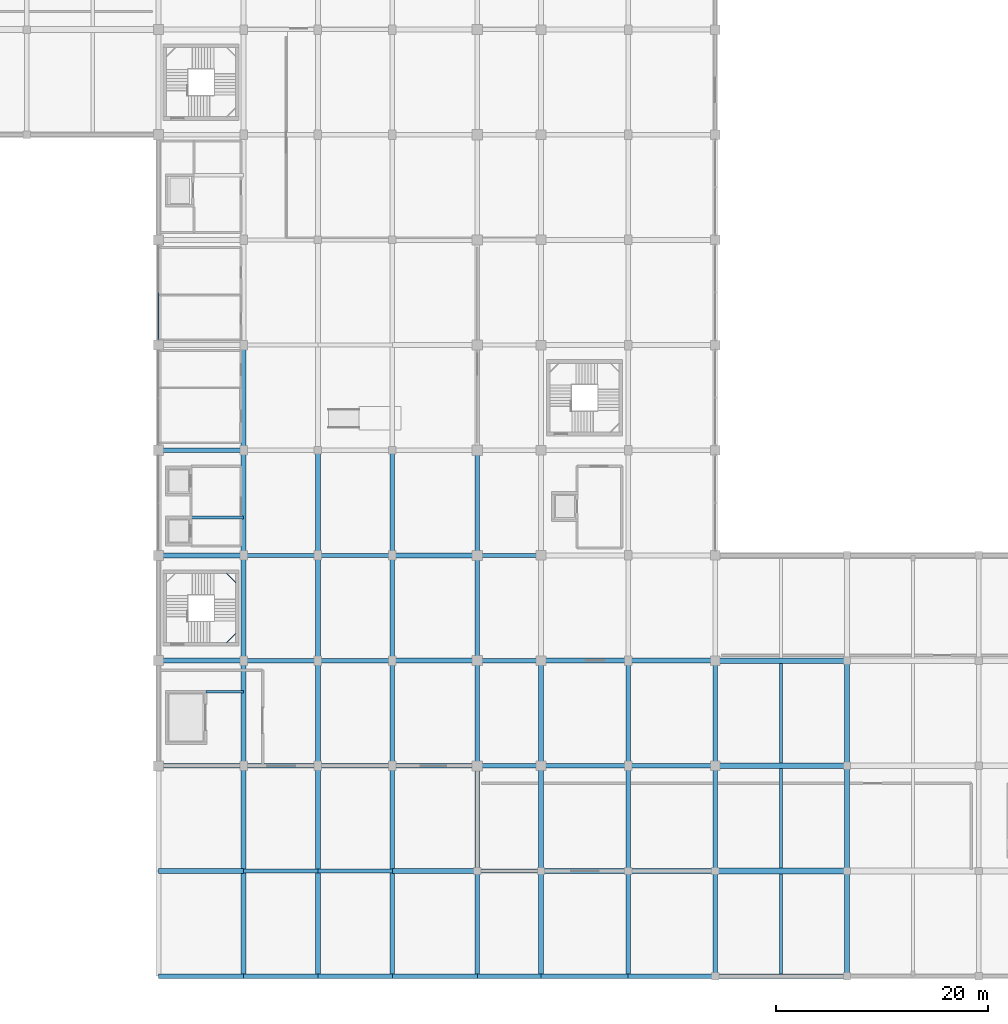
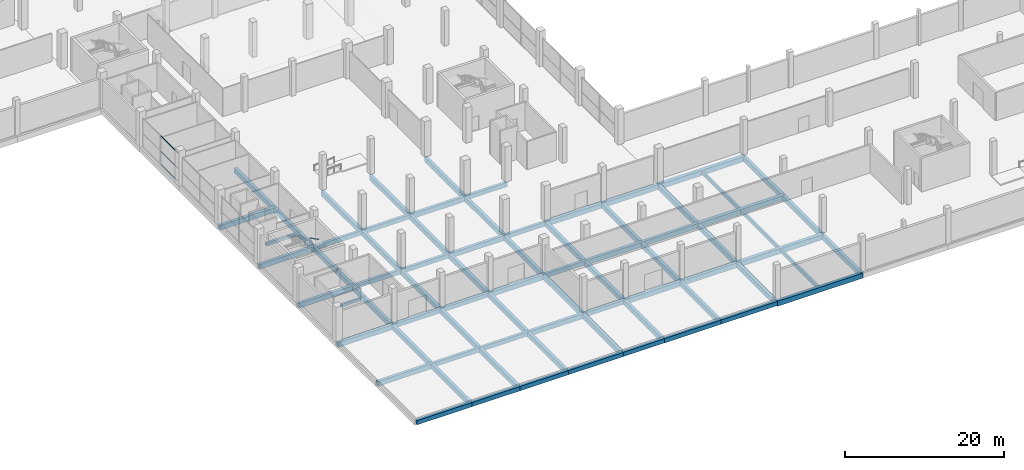
# One storey, part 6 of 50: 78 beams, 3 members, 1 element without a shape of its own.
"""IFC4 building model written with IfcOpenShell, lengths in metres."""

import ifcopenshell
import ifcopenshell.guid

model = None  # the IFC model being written
_history = None  # IfcOwnerHistory: only IFC2X3 demands one
_inside = {}  # id of a spatial element -> (the spatial element, [elements in it])
_under = {}  # id of a project, library or spatial element -> (it, [spatial elements below it])
_declared = {}  # id of a project -> (the project, [libraries it declares])
_typed = {}  # id of a type object -> (the type object, [elements of that type])
_made_of = {}  # id of a material, layer set ... -> (it, [elements and type objects made of it])


def new_model(schema):
    """Start an empty IFC model of exactly this schema.

    Asked for "IFC4X3", IfcOpenShell would pick the latest addendum, in which some entities
    have other attributes; the version numbers below select the first issue.
    IFC2X3 requires an IfcOwnerHistory on every rooted entity: one is made here for all.
    """
    global model, _history
    if schema == "IFC4X3":
        model = ifcopenshell.file(schema_version=(4, 3, 0, 0))
    else:
        model = ifcopenshell.file(schema=schema)
    _inside.clear()
    _under.clear()
    _declared.clear()
    _typed.clear()
    _made_of.clear()
    _history = None
    if model.schema == "IFC2X3":
        org = make("IfcOrganization", Name="unknown")
        user = make(
            "IfcPersonAndOrganization",
            ThePerson=make("IfcPerson", FamilyName="unknown"),
            TheOrganization=org,
        )
        app = make(
            "IfcApplication",
            ApplicationDeveloper=org,
            Version="unknown",
            ApplicationFullName="unknown",
            ApplicationIdentifier="unknown",
        )
        _history = make(
            "IfcOwnerHistory",
            OwningUser=user,
            OwningApplication=app,
            ChangeAction="ADDED",
            CreationDate=0,
        )
    return model


def make(cls, **values):
    """One entity of the class cls with the attributes given. An attribute that is None is left unset."""
    return model.create_entity(
        cls, **{name: value for name, value in values.items() if value is not None}
    )


def rooted(cls, **values):
    """An entity with a GlobalId (a new one), such as an element, a storey or a relation."""
    return make(cls, GlobalId=ifcopenshell.guid.new(), OwnerHistory=_history, **values)


def si_unit(unit_type, name, prefix=None):
    """IfcSIUnit, for example si_unit("LENGTHUNIT", "METRE", prefix="MILLI")."""
    return make("IfcSIUnit", UnitType=unit_type, Prefix=prefix, Name=name)


def assignment(units):
    """IfcUnitAssignment: the units of a project."""
    return None if units is None else make("IfcUnitAssignment", Units=units)


def point(xyz):
    """IfcCartesianPoint."""
    return None if xyz is None else make("IfcCartesianPoint", Coordinates=xyz)


def direction(xyz):
    """IfcDirection."""
    return None if xyz is None else make("IfcDirection", DirectionRatios=xyz)


def frame(location, z_axis=None, x_axis=None):
    """IfcAxis2Placement3D, a coordinate frame: its origin and axes. An axis left out is left unset."""
    return make(
        "IfcAxis2Placement3D",
        Location=point(location),
        Axis=direction(z_axis),
        RefDirection=direction(x_axis),
    )


def frame_2d(location, x_axis=None):
    """IfcAxis2Placement2D, a coordinate frame in the plane: its origin and x axis."""
    return make(
        "IfcAxis2Placement2D", Location=point(location), RefDirection=direction(x_axis)
    )


def origin():
    """The frame at (0, 0, 0) with its axes left unset."""
    return frame((0.0, 0.0, 0.0))


def origin_2d():
    """The frame at (0, 0) in the plane with its x axis left unset."""
    return frame_2d((0.0, 0.0))


def place(relative_to, where):
    """IfcLocalPlacement: puts the frame where relative to a parent placement (None: the world)."""
    return make(
        "IfcLocalPlacement", PlacementRelTo=relative_to, RelativePlacement=where
    )


def context(
    kind, dimensions, precision=None, world=None, true_north=None, identifier=None
):
    """IfcGeometricRepresentationContext, for example the 3D "Model" context."""
    return make(
        "IfcGeometricRepresentationContext",
        ContextIdentifier=identifier,
        ContextType=kind,
        CoordinateSpaceDimension=dimensions,
        Precision=precision,
        WorldCoordinateSystem=world,
        TrueNorth=true_north,
    )


def subcontext(parent, identifier, kind, view, scale=None):
    """IfcGeometricRepresentationSubContext, for example "Body" below "Model"."""
    return make(
        "IfcGeometricRepresentationSubContext",
        ContextIdentifier=identifier,
        ContextType=kind,
        ParentContext=parent,
        TargetScale=scale,
        TargetView=view,
    )


def project(units=None, contexts=None):
    """IfcProject with its units and contexts."""
    return rooted(
        "IfcProject",
        Name="project",
        RepresentationContexts=contexts,
        UnitsInContext=assignment(units),
    )


def spatial(cls, under=None, at=None, **own):
    """A site, building, storey or space (cls), placed at a placement, below another one or the project."""
    s = rooted(cls, ObjectPlacement=at, **own)
    if under is not None:
        _under.setdefault(under.id(), (under, []))[1].append(s)
    return s


def profile(cls, at=None, kind="AREA", **sizes):
    """A parametric profile (cls). Its sizes go by their IFC names, for example OverallWidth=200.0."""
    return make(cls, ProfileType=kind, Position=at, **sizes)


def rectangle(**sizes):
    """IfcRectangleProfileDef."""
    return profile("IfcRectangleProfileDef", **sizes)


def hollow_rectangle(**sizes):
    """IfcRectangleHollowProfileDef."""
    return profile("IfcRectangleHollowProfileDef", **sizes)


def extrude(swept, where, along, depth):
    """IfcExtrudedAreaSolid: the profile swept, set in the frame where, extruded along a direction by depth."""
    return make(
        "IfcExtrudedAreaSolid",
        SweptArea=swept,
        Position=where,
        ExtrudedDirection=direction(along),
        Depth=depth,
    )


def shape(context_of_items, identifier, shape_type, items):
    """IfcShapeRepresentation: the items that make up one representation, for example the "Body"."""
    return make(
        "IfcShapeRepresentation",
        ContextOfItems=context_of_items,
        RepresentationIdentifier=identifier,
        RepresentationType=shape_type,
        Items=items,
    )


def material(Name=None, Category=None):
    """IfcMaterial."""
    return make("IfcMaterial", Name=Name, Category=Category)


def layer(
    of_material, thickness, ventilated=None, Name=None, Category=None, Priority=None
):
    """IfcMaterialLayer: one layer of a wall or slab, of a material (None: an air gap)."""
    return make(
        "IfcMaterialLayer",
        Material=of_material,
        LayerThickness=thickness,
        IsVentilated=ventilated,
        Name=Name,
        Category=Category,
        Priority=Priority,
    )


def layer_set(layers, Name=None):
    """IfcMaterialLayerSet."""
    return make("IfcMaterialLayerSet", MaterialLayers=layers, LayerSetName=Name)


def material_profile(
    of_material, cross_section, Name=None, Category=None, Priority=None
):
    """IfcMaterialProfile: a cross section and its material."""
    return make(
        "IfcMaterialProfile",
        Name=Name,
        Material=of_material,
        Profile=cross_section,
        Priority=Priority,
        Category=Category,
    )


def profile_set(profiles, Name=None, composite=None):
    """IfcMaterialProfileSet."""
    return make(
        "IfcMaterialProfileSet",
        Name=Name,
        MaterialProfiles=profiles,
        CompositeProfile=composite,
    )


def made_of(thing, what):
    """Note that an element or type object is made of a material, layer set ...; save() writes the relation."""
    if what is not None:
        _made_of.setdefault(what.id(), (what, []))[1].append(thing)
    return thing


def type_object(cls, material=None, **own):
    """A type object (cls), such as IfcWallType, which elements share."""
    return made_of(rooted(cls, **own), material)


def element(
    cls,
    number,
    at=None,
    inside=None,
    cuts=None,
    type_object=None,
    material=None,
    context=None,
    identifier="Body",
    shape_type=None,
    held_by="IfcProductDefinitionShape",
    body=None,
    shapes=None,
    **own,
):
    """One element of the class cls, such as IfcWall. Its Tag is "e" and its number.

    at: its placement. inside: the storey or other place that contains it. cuts: it is an
    opening in that element (IfcRelVoidsElement). A single representation is given by context,
    identifier, shape_type and body (its items); several are given by shapes. held_by: the class
    of the entity that holds the representations. save() writes the other relations.
    """
    e = rooted(cls, Tag="e%d" % number, ObjectPlacement=at, **own)
    if body is not None:
        shapes = [shape(context, identifier, shape_type, body)]
    if shapes is not None:
        e.Representation = make(held_by, Representations=shapes)
    if inside is not None:
        _inside.setdefault(inside.id(), (inside, []))[1].append(e)
    if cuts is not None:
        rooted(
            "IfcRelVoidsElement", RelatingBuildingElement=cuts, RelatedOpeningElement=e
        )
    if type_object is not None:
        _typed.setdefault(type_object.id(), (type_object, []))[1].append(e)
    return made_of(e, material)


def aggregate(whole, parts):
    """IfcRelAggregates: a whole, such as a stair, and the parts it consists of."""
    return rooted("IfcRelAggregates", RelatingObject=whole, RelatedObjects=parts)


def save(model, path):
    """Write the relations noted so far, then the file.

    IfcRelAggregates (storeys below a building ...), IfcRelContainedInSpatialStructure (elements
    in a storey), IfcRelDefinesByType, IfcRelAssociatesMaterial and IfcRelDeclares: one each for
    every whole, place, type object, material and project.
    """
    for whole, parts in _under.values():
        aggregate(whole, parts)
    for where, things in _inside.values():
        rooted(
            "IfcRelContainedInSpatialStructure",
            RelatedElements=things,
            RelatingStructure=where,
        )
    for kind, things in _typed.values():
        rooted("IfcRelDefinesByType", RelatedObjects=things, RelatingType=kind)
    for what, things in _made_of.values():
        rooted("IfcRelAssociatesMaterial", RelatedObjects=things, RelatingMaterial=what)
    for by, libraries in _declared.values():
        rooted("IfcRelDeclares", RelatingContext=by, RelatedDefinitions=libraries)
    model.write(path)


model = new_model("IFC4")

# Units and contexts
model_context = context("Model", 3, precision=1e-05, world=origin(), true_north=direction((0.0, 1.0)))
body_context = subcontext(model_context, "Body", "Model", "MODEL_VIEW")
ifc_project = project(units=[si_unit("LENGTHUNIT", "METRE"), si_unit("AREAUNIT", "SQUARE_METRE"), si_unit("VOLUMEUNIT", "CUBIC_METRE"), si_unit("PLANEANGLEUNIT", "RADIAN"), si_unit("MASSUNIT", "GRAM", prefix="KILO")], contexts=[model_context])

# Site, building, storey
site_placement = place(None, origin())
site = spatial("IfcSite", under=ifc_project, at=site_placement, CompositionType="ELEMENT")
building_placement = place(site_placement, origin())
building = spatial("IfcBuilding", under=site, at=building_placement, Name="Sillaruma Civic Art Gallery", CompositionType="ELEMENT")
storey_placement = place(building_placement, origin())
storey = spatial("IfcBuildingStorey", under=building, at=storey_placement, Name="L00", CompositionType="ELEMENT", Elevation=0.0)

# Beams
ifc_material_1 = material(Name="Concrete H35 (35 MPa)", Category="concrete")
ifc_material_profile_1 = material_profile(ifc_material_1, rectangle(XDim=0.39990234375, YDim=0.64990234375, at=origin_2d()), Name="RCB400x650")
ifc_profile_set_1 = profile_set([ifc_material_profile_1], Name="Concrete H35 (35 MPa)")
beam_type_1 = type_object("IfcBeamType", Name="BM-BEAM-RCB400x650", PredefinedType="BEAM", material=ifc_profile_set_1)
for number, where, z_axis, x_axis, name in (
    (1, (70.0, 9.89990234375, -0.625), (1.0, 0.0, 0.0), (0.0, 1.0, 0.0), "Beam BM-05 (B01:2:G-H)"),
    (2, (77.0, 9.89990234375, -0.625), (1.0, 0.0, 0.0), (0.0, 1.0, 0.0), "Beam BM-05 (B01:2:H-J)"),
):
    element("IfcBeam", number, at=place(storey_placement, frame(where, z_axis=z_axis, x_axis=x_axis)), inside=storey, type_object=beam_type_1, Name=name, PredefinedType="BEAM", context=body_context, shape_type="SweptSolid", body=[
        extrude(rectangle(XDim=0.39990234375, YDim=0.64990234375, at=origin_2d()), origin(), (0.0, 0.0, 1.0), 7.0),
    ])
beam_1_placement = place(storey_placement, frame((92.0, 9.89990234375, -0.625), z_axis=(1.0, 0.0, 0.0), x_axis=(0.0, 1.0, 0.0)))
element("IfcBeam", 3, at=beam_1_placement, inside=storey, type_object=beam_type_1, Name="Beam BM-05 (B01:2:K-L)", PredefinedType="BEAM", context=body_context, shape_type="SweptSolid", body=[
    extrude(rectangle(XDim=0.39990234375, YDim=0.64990234375, at=origin_2d()), origin(), (0.0, 0.0, 1.0), 6.0),
])
for number, where, z_axis, x_axis, name in (
    (4, (70.0, 19.800048828125, -0.625), (1.0, 0.0, 0.0), (0.0, 1.0, 0.0), "Beam BM-05 (B01:3:G-H)"),
    (5, (77.0, 19.800048828125, -0.625), (1.0, 0.0, 0.0), (0.0, 1.0, 0.0), "Beam BM-05 (B01:3:H-J)"),
):
    element("IfcBeam", number, at=place(storey_placement, frame(where, z_axis=z_axis, x_axis=x_axis)), inside=storey, type_object=beam_type_1, Name=name, PredefinedType="BEAM", context=body_context, shape_type="SweptSolid", body=[
        extrude(rectangle(XDim=0.39990234375, YDim=0.64990234375, at=origin_2d()), origin(), (0.0, 0.0, 1.0), 7.0),
    ])
beam_2_placement = place(storey_placement, frame((92.0, 19.800048828125, -0.625), z_axis=(1.0, 0.0, 0.0), x_axis=(0.0, 1.0, 0.0)))
element("IfcBeam", 6, at=beam_2_placement, inside=storey, type_object=beam_type_1, Name="Beam BM-05 (B01:3:K-L)", PredefinedType="BEAM", context=body_context, shape_type="SweptSolid", body=[
    extrude(rectangle(XDim=0.39990234375, YDim=0.64990234375, at=origin_2d()), origin(), (0.0, 0.0, 1.0), 6.0),
])
for number, where, z_axis, x_axis, name in (
    (7, (70.0, 29.699951171875, -0.625), (1.0, 0.0, 0.0), (0.0, 1.0, 0.0), "Beam BM-05 (B01:4:G-H)"),
    (8, (77.0, 29.699951171875, -0.625), (1.0, 0.0, 0.0), (0.0, 1.0, 0.0), "Beam BM-05 (B01:4:H-J)"),
):
    element("IfcBeam", number, at=place(storey_placement, frame(where, z_axis=z_axis, x_axis=x_axis)), inside=storey, type_object=beam_type_1, Name=name, PredefinedType="BEAM", context=body_context, shape_type="SweptSolid", body=[
        extrude(rectangle(XDim=0.39990234375, YDim=0.64990234375, at=origin_2d()), origin(), (0.0, 0.0, 1.0), 7.0),
    ])
beam_3_placement = place(storey_placement, frame((92.0, 29.699951171875, -0.625), z_axis=(1.0, 0.0, 0.0), x_axis=(0.0, 1.0, 0.0)))
element("IfcBeam", 9, at=beam_3_placement, inside=storey, type_object=beam_type_1, Name="Beam BM-05 (B01:4:K-L)", PredefinedType="BEAM", context=body_context, shape_type="SweptSolid", body=[
    extrude(rectangle(XDim=0.39990234375, YDim=0.64990234375, at=origin_2d()), origin(), (0.0, 0.0, 1.0), 6.0),
])
for number, where, z_axis, x_axis, name in (
    (10, (70.0, 39.60009765625, -0.625), (1.0, 0.0, 0.0), (0.0, 1.0, 0.0), "Beam BM-05 (B01:5:G-H)"),
    (11, (77.0, 39.60009765625, -0.625), (1.0, 0.0, 0.0), (0.0, 1.0, 0.0), "Beam BM-05 (B01:5:H-J)"),
):
    element("IfcBeam", number, at=place(storey_placement, frame(where, z_axis=z_axis, x_axis=x_axis)), inside=storey, type_object=beam_type_1, Name=name, PredefinedType="BEAM", context=body_context, shape_type="SweptSolid", body=[
        extrude(rectangle(XDim=0.39990234375, YDim=0.64990234375, at=origin_2d()), origin(), (0.0, 0.0, 1.0), 7.0),
    ])
beam_4_placement = place(storey_placement, frame((92.0, 39.60009765625, -0.625), z_axis=(1.0, 0.0, 0.0), x_axis=(0.0, 1.0, 0.0)))
element("IfcBeam", 12, at=beam_4_placement, inside=storey, type_object=beam_type_1, Name="Beam BM-05 (B01:5:K-L)", PredefinedType="BEAM", context=body_context, shape_type="SweptSolid", body=[
    extrude(rectangle(XDim=0.39990234375, YDim=0.64990234375, at=origin_2d()), origin(), (0.0, 0.0, 1.0), 6.0),
])
ifc_material_2 = material(Name="Concrete H40 (40 MPa)", Category="concrete")
ifc_material_profile_2 = material_profile(ifc_material_2, rectangle(XDim=0.449951171875, YDim=0.75, at=origin_2d()), Name="RCB450x750")
ifc_profile_set_2 = profile_set([ifc_material_profile_2], Name="Concrete H40 (40 MPa)")
beam_type_2 = type_object("IfcBeamType", Name="BM-BEAM-RCB450x750", PredefinedType="BEAM", material=ifc_profile_set_2)
for number, where, z_axis, x_axis, name in (
    (13, (62.0, 9.89990234375, -0.675048828125), (1.0, 0.0, 0.0), (0.0, 1.0, 0.0), "Beam BM-03 (B01:2:F-G)"),
    (14, (84.0, 9.89990234375, -0.675048828125), (1.0, 0.0, 0.0), (0.0, 1.0, 0.0), "Beam BM-03 (B01:2:J-K)"),
):
    element("IfcBeam", number, at=place(storey_placement, frame(where, z_axis=z_axis, x_axis=x_axis)), inside=storey, type_object=beam_type_2, Name=name, PredefinedType="BEAM", context=body_context, shape_type="SweptSolid", body=[
        extrude(rectangle(XDim=0.449951171875, YDim=0.75, at=origin_2d()), origin(), (0.0, 0.0, 1.0), 8.0),
    ])
for number, where, z_axis, x_axis, name in (
    (15, (98.0, 9.89990234375, -0.675048828125), (1.0, 0.0, 0.0), (0.0, 1.0, 0.0), "Beam BM-03 (B01:2:L-M)"),
    (16, (106.199951171875, 9.89990234375, -0.675048828125), (1.0, 0.0, 0.0), (0.0, 1.0, 0.0), "Beam BM-03 (B01:2:M-N)"),
):
    element("IfcBeam", number, at=place(storey_placement, frame(where, z_axis=z_axis, x_axis=x_axis)), inside=storey, type_object=beam_type_2, Name=name, PredefinedType="BEAM", context=body_context, shape_type="SweptSolid", body=[
        extrude(rectangle(XDim=0.449951171875, YDim=0.75, at=origin_2d()), origin(), (0.0, 0.0, 1.0), 8.199951171875),
    ])
for number, where, z_axis, x_axis, name in (
    (17, (62.0, 19.800048828125, -0.675048828125), (1.0, 0.0, 0.0), (0.0, 1.0, 0.0), "Beam BM-03 (B01:3:F-G)"),
    (18, (84.0, 19.800048828125, -0.675048828125), (1.0, 0.0, 0.0), (0.0, 1.0, 0.0), "Beam BM-03 (B01:3:J-K)"),
):
    element("IfcBeam", number, at=place(storey_placement, frame(where, z_axis=z_axis, x_axis=x_axis)), inside=storey, type_object=beam_type_2, Name=name, PredefinedType="BEAM", context=body_context, shape_type="SweptSolid", body=[
        extrude(rectangle(XDim=0.449951171875, YDim=0.75, at=origin_2d()), origin(), (0.0, 0.0, 1.0), 8.0),
    ])
for number, where, z_axis, x_axis, name in (
    (19, (98.0, 19.800048828125, -0.675048828125), (1.0, 0.0, 0.0), (0.0, 1.0, 0.0), "Beam BM-03 (B01:3:L-M)"),
    (20, (106.199951171875, 19.800048828125, -0.675048828125), (1.0, 0.0, 0.0), (0.0, 1.0, 0.0), "Beam BM-03 (B01:3:M-N)"),
):
    element("IfcBeam", number, at=place(storey_placement, frame(where, z_axis=z_axis, x_axis=x_axis)), inside=storey, type_object=beam_type_2, Name=name, PredefinedType="BEAM", context=body_context, shape_type="SweptSolid", body=[
        extrude(rectangle(XDim=0.449951171875, YDim=0.75, at=origin_2d()), origin(), (0.0, 0.0, 1.0), 8.199951171875),
    ])
for number, where, z_axis, x_axis, name in (
    (21, (62.0, 29.699951171875, -0.675048828125), (1.0, 0.0, 0.0), (0.0, 1.0, 0.0), "Beam BM-03 (B01:4:F-G)"),
    (22, (84.0, 29.699951171875, -0.675048828125), (1.0, 0.0, 0.0), (0.0, 1.0, 0.0), "Beam BM-03 (B01:4:J-K)"),
):
    element("IfcBeam", number, at=place(storey_placement, frame(where, z_axis=z_axis, x_axis=x_axis)), inside=storey, type_object=beam_type_2, Name=name, PredefinedType="BEAM", context=body_context, shape_type="SweptSolid", body=[
        extrude(rectangle(XDim=0.449951171875, YDim=0.75, at=origin_2d()), origin(), (0.0, 0.0, 1.0), 8.0),
    ])
for number, where, z_axis, x_axis, name in (
    (23, (98.0, 29.699951171875, -0.675048828125), (1.0, 0.0, 0.0), (0.0, 1.0, 0.0), "Beam BM-03 (B01:4:L-M)"),
    (24, (106.199951171875, 29.699951171875, -0.675048828125), (1.0, 0.0, 0.0), (0.0, 1.0, 0.0), "Beam BM-03 (B01:4:M-N)"),
):
    element("IfcBeam", number, at=place(storey_placement, frame(where, z_axis=z_axis, x_axis=x_axis)), inside=storey, type_object=beam_type_2, Name=name, PredefinedType="BEAM", context=body_context, shape_type="SweptSolid", body=[
        extrude(rectangle(XDim=0.449951171875, YDim=0.75, at=origin_2d()), origin(), (0.0, 0.0, 1.0), 8.199951171875),
    ])
for number, where, z_axis, x_axis, name in (
    (25, (62.0, 39.60009765625, -0.675048828125), (1.0, 0.0, 0.0), (0.0, 1.0, 0.0), "Beam BM-03 (B01:5:F-G)"),
    (26, (84.0, 39.60009765625, -0.675048828125), (1.0, 0.0, 0.0), (0.0, 1.0, 0.0), "Beam BM-03 (B01:5:J-K)"),
    (27, (62.0, 49.5, -0.675048828125), (1.0, 0.0, 0.0), (0.0, 1.0, 0.0), "Beam BM-03 (B01:6:F-G)"),
):
    element("IfcBeam", number, at=place(storey_placement, frame(where, z_axis=z_axis, x_axis=x_axis)), inside=storey, type_object=beam_type_2, Name=name, PredefinedType="BEAM", context=body_context, shape_type="SweptSolid", body=[
        extrude(rectangle(XDim=0.449951171875, YDim=0.75, at=origin_2d()), origin(), (0.0, 0.0, 1.0), 8.0),
    ])
beam_5_placement = place(storey_placement, frame((70.0, 0.0, -0.675048828125), z_axis=(0.0, 1.0, 0.0), x_axis=(-1.0, 0.0, 0.0)))
element("IfcBeam", 28, at=beam_5_placement, inside=storey, type_object=beam_type_2, Name="Beam BM-03 (B01:G:1-2)", PredefinedType="BEAM", context=body_context, shape_type="SweptSolid", body=[
    extrude(rectangle(XDim=0.449951171875, YDim=0.75, at=origin_2d()), origin(), (0.0, 0.0, 1.0), 9.89990234375),
])
beam_6_placement = place(storey_placement, frame((70.0, 9.89990234375, -0.675048828125), z_axis=(0.0, 1.0, 0.0), x_axis=(-1.0, 0.0, 0.0)))
element("IfcBeam", 29, at=beam_6_placement, inside=storey, type_object=beam_type_2, Name="Beam BM-03 (B01:G:2-3)", PredefinedType="BEAM", context=body_context, shape_type="SweptSolid", body=[
    extrude(rectangle(XDim=0.449951171875, YDim=0.75, at=origin_2d()), origin(), (0.0, 0.0, 1.0), 9.900146484375),
])
beam_7_placement = place(storey_placement, frame((70.0, 19.800048828125, -0.675048828125), z_axis=(0.0, 1.0, 0.0), x_axis=(-1.0, 0.0, 0.0)))
element("IfcBeam", 30, at=beam_7_placement, inside=storey, type_object=beam_type_2, Name="Beam BM-03 (B01:G:3-4)", PredefinedType="BEAM", context=body_context, shape_type="SweptSolid", body=[
    extrude(rectangle(XDim=0.449951171875, YDim=0.75, at=origin_2d()), origin(), (0.0, 0.0, 1.0), 9.89990234375),
])
beam_8_placement = place(storey_placement, frame((70.0, 29.699951171875, -0.675048828125), z_axis=(0.0, 1.0, 0.0), x_axis=(-1.0, 0.0, 0.0)))
element("IfcBeam", 31, at=beam_8_placement, inside=storey, type_object=beam_type_2, Name="Beam BM-03 (B01:G:4-5)", PredefinedType="BEAM", context=body_context, shape_type="SweptSolid", body=[
    extrude(rectangle(XDim=0.449951171875, YDim=0.75, at=origin_2d()), origin(), (0.0, 0.0, 1.0), 9.900146484375),
])
for number, where, z_axis, x_axis, name in (
    (32, (70.0, 39.60009765625, -0.675048828125), (0.0, 1.0, 0.0), (-1.0, 0.0, 0.0), "Beam BM-03 (B01:G:5-6)"),
    (33, (70.0, 49.5, -0.675048828125), (0.0, 1.0, 0.0), (-1.0, 0.0, 0.0), "Beam BM-03 (B01:G:6-7)"),
    (34, (77.0, 0.0, -0.675048828125), (0.0, 1.0, 0.0), (-1.0, 0.0, 0.0), "Beam BM-03 (B01:H:1-2)"),
):
    element("IfcBeam", number, at=place(storey_placement, frame(where, z_axis=z_axis, x_axis=x_axis)), inside=storey, type_object=beam_type_2, Name=name, PredefinedType="BEAM", context=body_context, shape_type="SweptSolid", body=[
        extrude(rectangle(XDim=0.449951171875, YDim=0.75, at=origin_2d()), origin(), (0.0, 0.0, 1.0), 9.89990234375),
    ])
beam_9_placement = place(storey_placement, frame((77.0, 9.89990234375, -0.675048828125), z_axis=(0.0, 1.0, 0.0), x_axis=(-1.0, 0.0, 0.0)))
element("IfcBeam", 35, at=beam_9_placement, inside=storey, type_object=beam_type_2, Name="Beam BM-03 (B01:H:2-3)", PredefinedType="BEAM", context=body_context, shape_type="SweptSolid", body=[
    extrude(rectangle(XDim=0.449951171875, YDim=0.75, at=origin_2d()), origin(), (0.0, 0.0, 1.0), 9.900146484375),
])
beam_10_placement = place(storey_placement, frame((77.0, 19.800048828125, -0.675048828125), z_axis=(0.0, 1.0, 0.0), x_axis=(-1.0, 0.0, 0.0)))
element("IfcBeam", 36, at=beam_10_placement, inside=storey, type_object=beam_type_2, Name="Beam BM-03 (B01:H:3-4)", PredefinedType="BEAM", context=body_context, shape_type="SweptSolid", body=[
    extrude(rectangle(XDim=0.449951171875, YDim=0.75, at=origin_2d()), origin(), (0.0, 0.0, 1.0), 9.89990234375),
])
beam_11_placement = place(storey_placement, frame((77.0, 29.699951171875, -0.675048828125), z_axis=(0.0, 1.0, 0.0), x_axis=(-1.0, 0.0, 0.0)))
element("IfcBeam", 37, at=beam_11_placement, inside=storey, type_object=beam_type_2, Name="Beam BM-03 (B01:H:4-5)", PredefinedType="BEAM", context=body_context, shape_type="SweptSolid", body=[
    extrude(rectangle(XDim=0.449951171875, YDim=0.75, at=origin_2d()), origin(), (0.0, 0.0, 1.0), 9.900146484375),
])
for number, where, z_axis, x_axis, name in (
    (38, (77.0, 39.60009765625, -0.675048828125), (0.0, 1.0, 0.0), (-1.0, 0.0, 0.0), "Beam BM-03 (B01:H:5-6)"),
    (39, (84.0, 0.0, -0.675048828125), (0.0, 1.0, 0.0), (-1.0, 0.0, 0.0), "Beam BM-03 (B01:J:1-2)"),
):
    element("IfcBeam", number, at=place(storey_placement, frame(where, z_axis=z_axis, x_axis=x_axis)), inside=storey, type_object=beam_type_2, Name=name, PredefinedType="BEAM", context=body_context, shape_type="SweptSolid", body=[
        extrude(rectangle(XDim=0.449951171875, YDim=0.75, at=origin_2d()), origin(), (0.0, 0.0, 1.0), 9.89990234375),
    ])
beam_12_placement = place(storey_placement, frame((84.0, 9.89990234375, -0.675048828125), z_axis=(0.0, 1.0, 0.0), x_axis=(-1.0, 0.0, 0.0)))
element("IfcBeam", 40, at=beam_12_placement, inside=storey, type_object=beam_type_2, Name="Beam BM-03 (B01:J:2-3)", PredefinedType="BEAM", context=body_context, shape_type="SweptSolid", body=[
    extrude(rectangle(XDim=0.449951171875, YDim=0.75, at=origin_2d()), origin(), (0.0, 0.0, 1.0), 9.900146484375),
])
beam_13_placement = place(storey_placement, frame((84.0, 19.800048828125, -0.675048828125), z_axis=(0.0, 1.0, 0.0), x_axis=(-1.0, 0.0, 0.0)))
element("IfcBeam", 41, at=beam_13_placement, inside=storey, type_object=beam_type_2, Name="Beam BM-03 (B01:J:3-4)", PredefinedType="BEAM", context=body_context, shape_type="SweptSolid", body=[
    extrude(rectangle(XDim=0.449951171875, YDim=0.75, at=origin_2d()), origin(), (0.0, 0.0, 1.0), 9.89990234375),
])
beam_14_placement = place(storey_placement, frame((84.0, 29.699951171875, -0.675048828125), z_axis=(0.0, 1.0, 0.0), x_axis=(-1.0, 0.0, 0.0)))
element("IfcBeam", 42, at=beam_14_placement, inside=storey, type_object=beam_type_2, Name="Beam BM-03 (B01:J:4-5)", PredefinedType="BEAM", context=body_context, shape_type="SweptSolid", body=[
    extrude(rectangle(XDim=0.449951171875, YDim=0.75, at=origin_2d()), origin(), (0.0, 0.0, 1.0), 9.900146484375),
])
for number, where, z_axis, x_axis, name in (
    (43, (84.0, 39.60009765625, -0.675048828125), (0.0, 1.0, 0.0), (-1.0, 0.0, 0.0), "Beam BM-03 (B01:J:5-6)"),
    (44, (92.0, 0.0, -0.675048828125), (0.0, 1.0, 0.0), (-1.0, 0.0, 0.0), "Beam BM-03 (B01:K:1-2)"),
):
    element("IfcBeam", number, at=place(storey_placement, frame(where, z_axis=z_axis, x_axis=x_axis)), inside=storey, type_object=beam_type_2, Name=name, PredefinedType="BEAM", context=body_context, shape_type="SweptSolid", body=[
        extrude(rectangle(XDim=0.449951171875, YDim=0.75, at=origin_2d()), origin(), (0.0, 0.0, 1.0), 9.89990234375),
    ])
beam_15_placement = place(storey_placement, frame((92.0, 9.89990234375, -0.675048828125), z_axis=(0.0, 1.0, 0.0), x_axis=(-1.0, 0.0, 0.0)))
element("IfcBeam", 45, at=beam_15_placement, inside=storey, type_object=beam_type_2, Name="Beam BM-03 (B01:K:2-3)", PredefinedType="BEAM", context=body_context, shape_type="SweptSolid", body=[
    extrude(rectangle(XDim=0.449951171875, YDim=0.75, at=origin_2d()), origin(), (0.0, 0.0, 1.0), 9.900146484375),
])
beam_16_placement = place(storey_placement, frame((92.0, 19.800048828125, -0.675048828125), z_axis=(0.0, 1.0, 0.0), x_axis=(-1.0, 0.0, 0.0)))
element("IfcBeam", 46, at=beam_16_placement, inside=storey, type_object=beam_type_2, Name="Beam BM-03 (B01:K:3-4)", PredefinedType="BEAM", context=body_context, shape_type="SweptSolid", body=[
    extrude(rectangle(XDim=0.449951171875, YDim=0.75, at=origin_2d()), origin(), (0.0, 0.0, 1.0), 9.89990234375),
])
beam_17_placement = place(storey_placement, frame((92.0, 29.699951171875, -0.675048828125), z_axis=(0.0, 1.0, 0.0), x_axis=(-1.0, 0.0, 0.0)))
element("IfcBeam", 47, at=beam_17_placement, inside=storey, type_object=beam_type_2, Name="Beam BM-03 (B01:K:4-5)", PredefinedType="BEAM", context=body_context, shape_type="SweptSolid", body=[
    extrude(rectangle(XDim=0.449951171875, YDim=0.75, at=origin_2d()), origin(), (0.0, 0.0, 1.0), 9.900146484375),
])
for number, where, z_axis, x_axis, name in (
    (48, (92.0, 39.60009765625, -0.675048828125), (0.0, 1.0, 0.0), (-1.0, 0.0, 0.0), "Beam BM-03 (B01:K:5-6)"),
    (49, (98.0, 0.0, -0.675048828125), (0.0, 1.0, 0.0), (-1.0, 0.0, 0.0), "Beam BM-03 (B01:L:1-2)"),
):
    element("IfcBeam", number, at=place(storey_placement, frame(where, z_axis=z_axis, x_axis=x_axis)), inside=storey, type_object=beam_type_2, Name=name, PredefinedType="BEAM", context=body_context, shape_type="SweptSolid", body=[
        extrude(rectangle(XDim=0.449951171875, YDim=0.75, at=origin_2d()), origin(), (0.0, 0.0, 1.0), 9.89990234375),
    ])
beam_18_placement = place(storey_placement, frame((98.0, 9.89990234375, -0.675048828125), z_axis=(0.0, 1.0, 0.0), x_axis=(-1.0, 0.0, 0.0)))
element("IfcBeam", 50, at=beam_18_placement, inside=storey, type_object=beam_type_2, Name="Beam BM-03 (B01:L:2-3)", PredefinedType="BEAM", context=body_context, shape_type="SweptSolid", body=[
    extrude(rectangle(XDim=0.449951171875, YDim=0.75, at=origin_2d()), origin(), (0.0, 0.0, 1.0), 9.900146484375),
])
for number, where, z_axis, x_axis, name in (
    (51, (98.0, 19.800048828125, -0.675048828125), (0.0, 1.0, 0.0), (-1.0, 0.0, 0.0), "Beam BM-03 (B01:L:3-4)"),
    (52, (106.199951171875, 0.0, -0.675048828125), (0.0, 1.0, 0.0), (-1.0, 0.0, 0.0), "Beam BM-03 (B01:M:1-2)"),
):
    element("IfcBeam", number, at=place(storey_placement, frame(where, z_axis=z_axis, x_axis=x_axis)), inside=storey, type_object=beam_type_2, Name=name, PredefinedType="BEAM", context=body_context, shape_type="SweptSolid", body=[
        extrude(rectangle(XDim=0.449951171875, YDim=0.75, at=origin_2d()), origin(), (0.0, 0.0, 1.0), 9.89990234375),
    ])
beam_19_placement = place(storey_placement, frame((106.199951171875, 9.89990234375, -0.675048828125), z_axis=(0.0, 1.0, 0.0), x_axis=(-1.0, 0.0, 0.0)))
element("IfcBeam", 53, at=beam_19_placement, inside=storey, type_object=beam_type_2, Name="Beam BM-03 (B01:M:2-3)", PredefinedType="BEAM", context=body_context, shape_type="SweptSolid", body=[
    extrude(rectangle(XDim=0.449951171875, YDim=0.75, at=origin_2d()), origin(), (0.0, 0.0, 1.0), 9.900146484375),
])
for number, where, z_axis, x_axis, name in (
    (54, (106.199951171875, 19.800048828125, -0.675048828125), (0.0, 1.0, 0.0), (-1.0, 0.0, 0.0), "Beam BM-03 (B01:M:3-4)"),
    (55, (114.39990234375, 0.0, -0.675048828125), (0.0, 1.0, 0.0), (-1.0, 0.0, 0.0), "Beam BM-03 (B01:N:1-2)"),
):
    element("IfcBeam", number, at=place(storey_placement, frame(where, z_axis=z_axis, x_axis=x_axis)), inside=storey, type_object=beam_type_2, Name=name, PredefinedType="BEAM", context=body_context, shape_type="SweptSolid", body=[
        extrude(rectangle(XDim=0.449951171875, YDim=0.75, at=origin_2d()), origin(), (0.0, 0.0, 1.0), 9.89990234375),
    ])
beam_20_placement = place(storey_placement, frame((114.39990234375, 9.89990234375, -0.675048828125), z_axis=(0.0, 1.0, 0.0), x_axis=(-1.0, 0.0, 0.0)))
element("IfcBeam", 56, at=beam_20_placement, inside=storey, type_object=beam_type_2, Name="Beam BM-03 (B01:N:2-3)", PredefinedType="BEAM", context=body_context, shape_type="SweptSolid", body=[
    extrude(rectangle(XDim=0.449951171875, YDim=0.75, at=origin_2d()), origin(), (0.0, 0.0, 1.0), 9.900146484375),
])
for number, where, z_axis, x_axis, name in (
    (57, (114.39990234375, 19.800048828125, -0.675048828125), (0.0, 1.0, 0.0), (-1.0, 0.0, 0.0), "Beam BM-03 (B01:N:3-4)"),
    (58, (126.800048828125, 0.0, -0.675048828125), (0.0, 1.0, 0.0), (-1.0, 0.0, 0.0), "Beam BM-03 (B01:P:1-2)"),
):
    element("IfcBeam", number, at=place(storey_placement, frame(where, z_axis=z_axis, x_axis=x_axis)), inside=storey, type_object=beam_type_2, Name=name, PredefinedType="BEAM", context=body_context, shape_type="SweptSolid", body=[
        extrude(rectangle(XDim=0.449951171875, YDim=0.75, at=origin_2d()), origin(), (0.0, 0.0, 1.0), 9.89990234375),
    ])
beam_21_placement = place(storey_placement, frame((126.800048828125, 9.89990234375, -0.675048828125), z_axis=(0.0, 1.0, 0.0), x_axis=(-1.0, 0.0, 0.0)))
element("IfcBeam", 59, at=beam_21_placement, inside=storey, type_object=beam_type_2, Name="Beam BM-03 (B01:P:2-3)", PredefinedType="BEAM", context=body_context, shape_type="SweptSolid", body=[
    extrude(rectangle(XDim=0.449951171875, YDim=0.75, at=origin_2d()), origin(), (0.0, 0.0, 1.0), 9.900146484375),
])
beam_22_placement = place(storey_placement, frame((126.800048828125, 19.800048828125, -0.675048828125), z_axis=(0.0, 1.0, 0.0), x_axis=(-1.0, 0.0, 0.0)))
element("IfcBeam", 60, at=beam_22_placement, inside=storey, type_object=beam_type_2, Name="Beam BM-03 (B01:P:3-4)", PredefinedType="BEAM", context=body_context, shape_type="SweptSolid", body=[
    extrude(rectangle(XDim=0.449951171875, YDim=0.75, at=origin_2d()), origin(), (0.0, 0.0, 1.0), 9.89990234375),
])
ifc_material_profile_3 = material_profile(ifc_material_1, rectangle(XDim=0.300048828125, YDim=0.52001953125, at=origin_2d()), Name="RCB300x520")
ifc_profile_set_3 = profile_set([ifc_material_profile_3], Name="Concrete H35 (35 MPa)")
beam_type_3 = type_object("IfcBeamType", Name="BM-JOIST-RCB300x520", PredefinedType="JOIST", material=ifc_profile_set_3)
beam_23_placement = place(storey_placement, frame((120.60009765625, 0.22509765625, -0.56005859375), z_axis=(0.0, 1.0, 0.0), x_axis=(-1.0, 0.0, 0.0)))
element("IfcBeam", 61, at=beam_23_placement, inside=storey, type_object=beam_type_3, Name="Floor Joist JR-01 (B01:NP:1-2)", PredefinedType="JOIST", context=body_context, shape_type="SweptSolid", body=[
    extrude(rectangle(XDim=0.300048828125, YDim=0.52001953125, at=origin_2d()), origin(), (0.0, 0.0, 1.0), 9.414794921875),
])
beam_24_placement = place(storey_placement, frame((120.60009765625, 10.159912109375, -0.56005859375), z_axis=(0.0, 1.0, 0.0), x_axis=(-1.0, 0.0, 0.0)))
element("IfcBeam", 62, at=beam_24_placement, inside=storey, type_object=beam_type_3, Name="Floor Joist JR-01 (B01:NP:2-3)", PredefinedType="JOIST", context=body_context, shape_type="SweptSolid", body=[
    extrude(rectangle(XDim=0.300048828125, YDim=0.52001953125, at=origin_2d()), origin(), (0.0, 0.0, 1.0), 9.380126953125),
])
beam_25_placement = place(storey_placement, frame((120.60009765625, 20.06005859375, -0.56005859375), z_axis=(0.0, 1.0, 0.0), x_axis=(-1.0, 0.0, 0.0)))
element("IfcBeam", 63, at=beam_25_placement, inside=storey, type_object=beam_type_3, Name="Floor Joist JR-01 (B01:NP:3-4)", PredefinedType="JOIST", context=body_context, shape_type="SweptSolid", body=[
    extrude(rectangle(XDim=0.300048828125, YDim=0.52001953125, at=origin_2d()), origin(), (0.0, 0.0, 1.0), 9.3798828125),
])
ifc_material_profile_4 = material_profile(ifc_material_1, rectangle(XDim=0.260009765625, YDim=0.419921875, at=origin_2d()), Name="RCB260x420")
ifc_profile_set_4 = profile_set([ifc_material_profile_4], Name="Concrete H35 (35 MPa)")
beam_type_4 = type_object("IfcBeamType", Name="BM-LINTEL-RCB260x420", PredefinedType="LINTEL", material=ifc_profile_set_4)
beam_26_placement = place(storey_placement, frame((66.449951171875, 26.780029296875, -0.510009765625), z_axis=(1.0, 0.0, 0.0), x_axis=(0.0, 1.0, 0.0)))
element("IfcBeam", 64, at=beam_26_placement, inside=storey, type_object=beam_type_4, Name="Core Portal Coupling Lintel BL-02 (B01:GL1)", PredefinedType="LINTEL", context=body_context, shape_type="SweptSolid", body=[
    extrude(rectangle(XDim=0.260009765625, YDim=0.419921875, at=origin_2d()), origin(), (0.0, 0.0, 1.0), 3.550048828125),
])
ifc_material_profile_5 = material_profile(ifc_material_1, rectangle(XDim=0.300048828125, YDim=0.4599609375, at=origin_2d()), Name="RCB300x460")
ifc_profile_set_5 = profile_set([ifc_material_profile_5], Name="Concrete H35 (35 MPa)")
beam_type_5 = type_object("IfcBeamType", Name="BM-LINTEL-RCB300x460", PredefinedType="LINTEL", material=ifc_profile_set_5)
beam_27_placement = place(storey_placement, frame((65.050048828125, 43.179931640625, -0.530029296875), z_axis=(1.0, 0.0, 0.0), x_axis=(0.0, 1.0, 0.0)))
element("IfcBeam", 65, at=beam_27_placement, inside=storey, type_object=beam_type_5, Name="Core Portal Coupling Lintel BL-01 (B01:PL1)", PredefinedType="LINTEL", context=body_context, shape_type="SweptSolid", body=[
    extrude(rectangle(XDim=0.300048828125, YDim=0.4599609375, at=origin_2d()), origin(), (0.0, 0.0, 1.0), 4.949951171875),
])
ifc_material_3 = material(Name="Structural Steel ASTM A500 Gr.C", Category="steel")
ifc_material_profile_6 = material_profile(ifc_material_3, hollow_rectangle(XDim=0.080078125, YDim=0.159912109375, WallThickness=0.008056640625, InnerFilletRadius=0.008056640625, OuterFilletRadius=0.01611328125, at=origin_2d()), Name="HSS160x80x8")
ifc_profile_set_6 = profile_set([ifc_material_profile_6], Name="Structural Steel ASTM A500 Gr.C")
beam_type_6 = type_object("IfcBeamType", Name="BM-LND-HSS160", PredefinedType="BEAM", material=ifc_profile_set_6)
for number, where, z_axis, x_axis, name in (
    (66, (68.389892578125, 31.3701171875, 1.080078125), (0.707203758046, 0.707009791025, 0.0), (-0.707009791025, 0.707203758046, 0.0), "Stair Corner Landing Trimmer Beam (ST-03-L00-1)"),
    (67, (68.389892578125, 37.929931640625, 2.43994140625), (0.707203758046, -0.707009791025, 0.0), (0.707009791025, 0.707203758046, 0.0), "Stair Corner Landing Trimmer Beam (ST-03-L00-2)"),
):
    element("IfcBeam", number, at=place(storey_placement, frame(where, z_axis=z_axis, x_axis=x_axis)), inside=storey, type_object=beam_type_6, Name=name, PredefinedType="BEAM", context=body_context, shape_type="SweptSolid", body=[
        extrude(hollow_rectangle(XDim=0.080078125, YDim=0.159912109375, WallThickness=0.008056640625, InnerFilletRadius=0.008056640625, OuterFilletRadius=0.01611328125, at=origin_2d()), origin(), (0.0, 0.0, 1.0), 1.2587890625),
    ])
ifc_material_profile_7 = material_profile(ifc_material_1, rectangle(XDim=0.39990234375, YDim=0.64990234375, at=origin_2d()), Name="RCB400x650")
ifc_profile_set_7 = profile_set([ifc_material_profile_7], Name="Concrete H35 (35 MPa)")
beam_type_7 = type_object("IfcBeamType", Name="BM-SPANDREL-RCB400x650", PredefinedType="SPANDREL", material=ifc_profile_set_7)
beam_28_placement = place(storey_placement, frame((62.0, 0.0, -0.625), z_axis=(1.0, 0.0, 0.0), x_axis=(0.0, 1.0, 0.0)))
element("IfcBeam", 68, at=beam_28_placement, inside=storey, type_object=beam_type_7, Name="Beam BS-02 (B01:1:F-G)", PredefinedType="SPANDREL", context=body_context, shape_type="SweptSolid", body=[
    extrude(rectangle(XDim=0.39990234375, YDim=0.64990234375, at=origin_2d()), origin(), (0.0, 0.0, 1.0), 8.0),
])
for number, where, z_axis, x_axis, name in (
    (69, (70.0, 0.0, -0.625), (1.0, 0.0, 0.0), (0.0, 1.0, 0.0), "Beam BS-02 (B01:1:G-H)"),
    (70, (77.0, 0.0, -0.625), (1.0, 0.0, 0.0), (0.0, 1.0, 0.0), "Beam BS-02 (B01:1:H-J)"),
):
    element("IfcBeam", number, at=place(storey_placement, frame(where, z_axis=z_axis, x_axis=x_axis)), inside=storey, type_object=beam_type_7, Name=name, PredefinedType="SPANDREL", context=body_context, shape_type="SweptSolid", body=[
        extrude(rectangle(XDim=0.39990234375, YDim=0.64990234375, at=origin_2d()), origin(), (0.0, 0.0, 1.0), 7.0),
    ])
beam_29_placement = place(storey_placement, frame((84.0, 0.0, -0.625), z_axis=(1.0, 0.0, 0.0), x_axis=(0.0, 1.0, 0.0)))
element("IfcBeam", 71, at=beam_29_placement, inside=storey, type_object=beam_type_7, Name="Beam BS-02 (B01:1:J-K)", PredefinedType="SPANDREL", context=body_context, shape_type="SweptSolid", body=[
    extrude(rectangle(XDim=0.39990234375, YDim=0.64990234375, at=origin_2d()), origin(), (0.0, 0.0, 1.0), 8.0),
])
beam_30_placement = place(storey_placement, frame((92.0, 0.0, -0.625), z_axis=(1.0, 0.0, 0.0), x_axis=(0.0, 1.0, 0.0)))
element("IfcBeam", 72, at=beam_30_placement, inside=storey, type_object=beam_type_7, Name="Beam BS-02 (B01:1:K-L)", PredefinedType="SPANDREL", context=body_context, shape_type="SweptSolid", body=[
    extrude(rectangle(XDim=0.39990234375, YDim=0.64990234375, at=origin_2d()), origin(), (0.0, 0.0, 1.0), 6.0),
])
for number, where, z_axis, x_axis, name in (
    (73, (98.0, 0.0, -0.625), (1.0, 0.0, 0.0), (0.0, 1.0, 0.0), "Beam BS-02 (B01:1:L-M)"),
    (74, (106.199951171875, 0.0, -0.625), (1.0, 0.0, 0.0), (0.0, 1.0, 0.0), "Beam BS-02 (B01:1:M-N)"),
):
    element("IfcBeam", number, at=place(storey_placement, frame(where, z_axis=z_axis, x_axis=x_axis)), inside=storey, type_object=beam_type_7, Name=name, PredefinedType="SPANDREL", context=body_context, shape_type="SweptSolid", body=[
        extrude(rectangle(XDim=0.39990234375, YDim=0.64990234375, at=origin_2d()), origin(), (0.0, 0.0, 1.0), 8.199951171875),
    ])
ifc_material_profile_8 = material_profile(ifc_material_2, rectangle(XDim=0.449951171875, YDim=0.75, at=origin_2d()), Name="RCB450x750")
ifc_profile_set_8 = profile_set([ifc_material_profile_8], Name="Concrete H40 (40 MPa)")
beam_type_8 = type_object("IfcBeamType", Name="BM-SPANDREL-RCB450x750", PredefinedType="SPANDREL", material=ifc_profile_set_8)
beam_31_placement = place(storey_placement, frame((114.39990234375, 0.0, -0.675048828125), z_axis=(1.0, 0.0, 0.0), x_axis=(0.0, 1.0, 0.0)))
element("IfcBeam", 75, at=beam_31_placement, inside=storey, type_object=beam_type_8, Name="Beam BS-01 (B01:1:N-P)", PredefinedType="SPANDREL", context=body_context, shape_type="SweptSolid", body=[
    extrude(rectangle(XDim=0.449951171875, YDim=0.75, at=origin_2d()), origin(), (0.0, 0.0, 1.0), 12.400146484375),
])
ifc_material_profile_9 = material_profile(ifc_material_2, rectangle(XDim=0.52001953125, YDim=0.780029296875, at=origin_2d()), Name="RCT520x780")
ifc_profile_set_9 = profile_set([ifc_material_profile_9], Name="Concrete H40 (40 MPa)")
beam_type_9 = type_object("IfcBeamType", Name="BM-T_BEAM-RCT520x780", PredefinedType="T_BEAM", material=ifc_profile_set_9)
for number, where, z_axis, x_axis, name in (
    (76, (114.39990234375, 9.89990234375, -0.68994140625), (1.0, 0.0, 0.0), (0.0, 1.0, 0.0), "Beam BT-01 (B01:2:N-P)"),
    (77, (114.39990234375, 19.800048828125, -0.68994140625), (1.0, 0.0, 0.0), (0.0, 1.0, 0.0), "Beam BT-01 (B01:3:N-P)"),
    (78, (114.39990234375, 29.699951171875, -0.68994140625), (1.0, 0.0, 0.0), (0.0, 1.0, 0.0), "Beam BT-01 (B01:4:N-P)"),
):
    element("IfcBeam", number, at=place(storey_placement, frame(where, z_axis=z_axis, x_axis=x_axis)), inside=storey, type_object=beam_type_9, Name=name, PredefinedType="T_BEAM", context=body_context, shape_type="SweptSolid", body=[
        extrude(rectangle(XDim=0.52001953125, YDim=0.780029296875, at=origin_2d()), origin(), (0.0, 0.0, 1.0), 12.400146484375),
    ])

# Curtain wall, members
ifc_material_4 = material(Name="Thermally Broken Extruded Aluminium 6063-T6", Category="aluminium")
ifc_layer = layer(ifc_material_4, 0.159912109375, Name="Thermally Broken Extruded Aluminium 6063-T6")
ifc_layer_set = layer_set([ifc_layer], Name="Thermally Broken Extruded Aluminium 6063-T6")
curtain_wall_type = type_object("IfcCurtainWallType", Name="CW-UNI-04", PredefinedType="NOTDEFINED", material=ifc_layer_set)
curtain_wall_placement = place(storey_placement, origin())
curtain_wall = element("IfcCurtainWall", 79, at=curtain_wall_placement, inside=storey, type_object=curtain_wall_type, Name="Unitised Curtain Wall CW-04 (CW-L00-SPW-5)", PredefinedType="NOTDEFINED")
ifc_material_profile_10 = material_profile(ifc_material_4, hollow_rectangle(XDim=0.06005859375, YDim=0.10009765625, WallThickness=0.003173828125, at=origin_2d()), Name="CWT60x100")
ifc_profile_set_10 = profile_set([ifc_material_profile_10], Name="Thermally Broken Extruded Aluminium 6063-T6")
member_type = type_object("IfcMemberType", Name="MEM-TRN-CWT60x100", PredefinedType="USERDEFINED", material=ifc_profile_set_10)
member_1_placement = place(storey_placement, frame((62.0, 59.93994140625, 0.030029296875), z_axis=(0.0, 1.0, 0.0), x_axis=(-1.0, 0.0, 0.0)))
member_1 = element("IfcMember", 80, at=member_1_placement, type_object=member_type, Name="CW-04 transom 1.1", ObjectType="TRANSOM", PredefinedType="USERDEFINED", context=body_context, shape_type="SweptSolid", body=[
    extrude(hollow_rectangle(XDim=0.06005859375, YDim=0.10009765625, WallThickness=0.003173828125, at=origin_2d()), origin(), (0.0, 0.0, 1.0), 4.37744140625),
])
member_2_placement = place(storey_placement, frame((62.0, 59.93994140625, 2.02392578125), z_axis=(0.0, 1.0, 0.0), x_axis=(-1.0, 0.0, 0.0)))
member_2 = element("IfcMember", 81, at=member_2_placement, type_object=member_type, Name="CW-04 transom 1.2", ObjectType="TRANSOM", PredefinedType="USERDEFINED", context=body_context, shape_type="SweptSolid", body=[
    extrude(hollow_rectangle(XDim=0.06005859375, YDim=0.10009765625, WallThickness=0.003173828125, at=origin_2d()), origin(), (0.0, 0.0, 1.0), 4.37744140625),
])
member_3_placement = place(storey_placement, frame((62.0, 59.93994140625, 4.3701171875), z_axis=(0.0, 1.0, 0.0), x_axis=(-1.0, 0.0, 0.0)))
member_3 = element("IfcMember", 82, at=member_3_placement, type_object=member_type, Name="CW-04 transom 1.3", ObjectType="TRANSOM", PredefinedType="USERDEFINED", context=body_context, shape_type="SweptSolid", body=[
    extrude(hollow_rectangle(XDim=0.06005859375, YDim=0.10009765625, WallThickness=0.003173828125, at=origin_2d()), origin(), (0.0, 0.0, 1.0), 4.37744140625),
])
aggregate(curtain_wall, [member_1, member_2, member_3])

save(model, "model.ifc")
